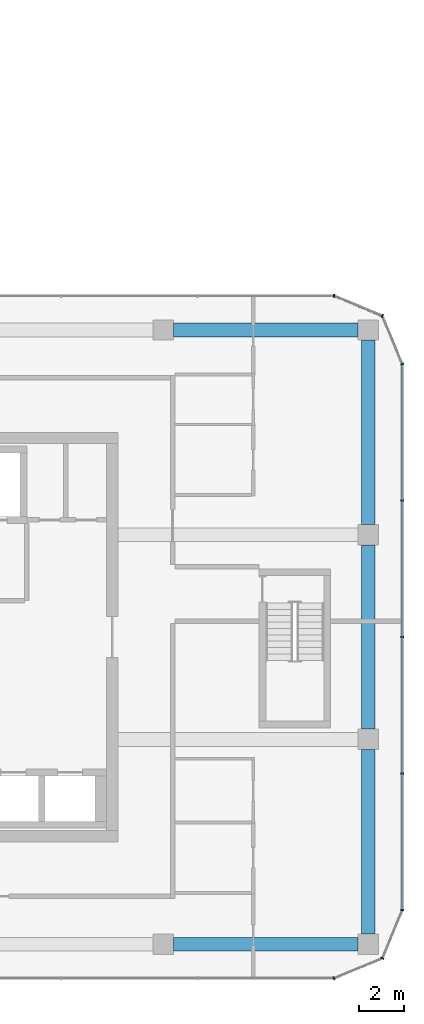
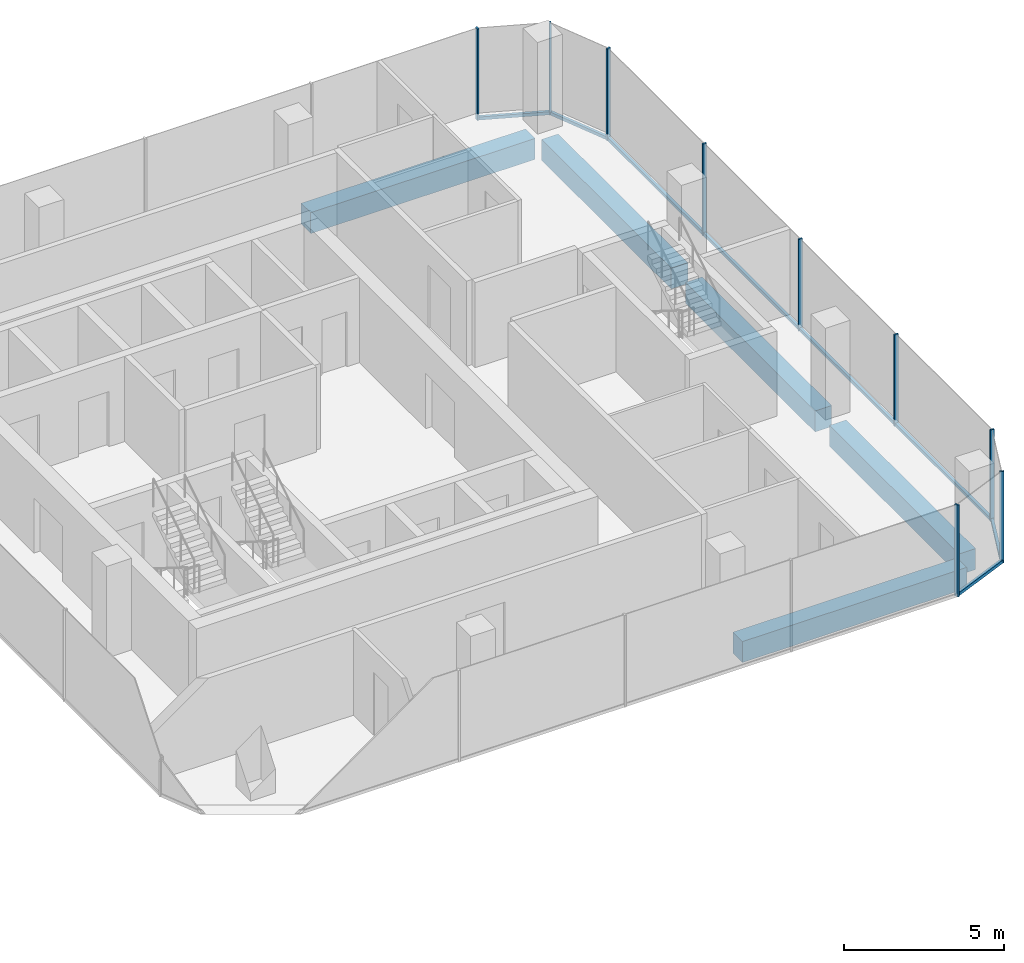
# One storey, part 11 of 24: 14 members, 5 beams, 6 elements without a shape of their own.
"""IFC4 building model written with IfcOpenShell, lengths in metres."""

from ifc_helpers import new_model, si_unit, direction, frame, origin, origin_2d, place, context, subcontext, project, spatial, rectangle, extrude, material, layer, layer_set, material_profile, profile_set, type_object, element, aggregate, save


model = new_model("IFC4")

# Units and contexts
model_context = context("Model", 3, precision=1e-05, world=origin(), true_north=direction((0.0, 1.0)))
body_context = subcontext(model_context, "Body", "Model", "MODEL_VIEW")
ifc_project = project(units=[si_unit("LENGTHUNIT", "METRE"), si_unit("AREAUNIT", "SQUARE_METRE"), si_unit("VOLUMEUNIT", "CUBIC_METRE"), si_unit("PLANEANGLEUNIT", "RADIAN"), si_unit("MASSUNIT", "GRAM", prefix="KILO")], contexts=[model_context])

# Site, building, storey
site_placement = place(None, origin())
site = spatial("IfcSite", under=ifc_project, at=site_placement, CompositionType="ELEMENT")
building_placement = place(site_placement, origin())
building = spatial("IfcBuilding", under=site, at=building_placement, Name="Plateau Cross Towers", CompositionType="ELEMENT")
storey_placement = place(building_placement, frame((0.0, 0.0, 51.300048828125)))
storey = spatial("IfcBuildingStorey", under=building, at=storey_placement, Name="L12", CompositionType="ELEMENT", Elevation=51.300048828125)

# Curtain wall, member
ifc_material_1 = material(Name="Dark low-iron glass", Category="glass")
ifc_layer = layer(ifc_material_1, 0.239990234375)
ifc_layer_set = layer_set([ifc_layer], Name="Dark low-iron glass")
curtain_wall_type = type_object("IfcCurtainWallType", Name="Curtain wall office unitised CW-F", PredefinedType="NOTDEFINED", material=ifc_layer_set)
curtain_wall_1_placement = place(storey_placement, origin())
curtain_wall_1 = element("IfcCurtainWall", 1, at=curtain_wall_1_placement, inside=storey, type_object=curtain_wall_type, Name="ENV/B/L12/B990_-60", PredefinedType="NOTDEFINED")
ifc_material_2 = material(Name="Black anodised aluminium", Category="aluminium")
ifc_material_profile_1 = material_profile(ifc_material_2, rectangle(XDim=0.06005859375, YDim=0.139892578125, at=origin_2d()), Name="MULLION 60x140")
ifc_profile_set_1 = profile_set([ifc_material_profile_1], Name="Black anodised aluminium")
member_type_1 = type_object("IfcMemberType", Name="Mullion 60x140 office unitised", PredefinedType="MULLION", material=ifc_profile_set_1)
member_1_placement = place(storey_placement, frame((99.0, -6.0, -0.25), z_axis=(0.0, 0.0, 1.0), x_axis=(0.923879457699, 0.382683612978, 0.0)))
member_1 = element("IfcMember", 2, at=member_1_placement, type_object=member_type_1, Name="CW-F mullion 1", PredefinedType="MULLION", context=body_context, shape_type="SweptSolid", body=[
    extrude(rectangle(XDim=0.06005859375, YDim=0.139892578125, at=origin_2d()), origin(), (0.0, 0.0, 1.0), 3.5),
])

curtain_wall_2_placement = place(storey_placement, origin())
curtain_wall_2 = element("IfcCurtainWall", 3, at=curtain_wall_2_placement, inside=storey, type_object=curtain_wall_type, Name="ENV/B/L12/B1011_-51", PredefinedType="NOTDEFINED")
member_2_placement = place(storey_placement, frame((101.121337890625, -5.121337890625, -0.25), z_axis=(0.0, 0.0, 1.0), x_axis=(0.382683612978, 0.923879457699, 0.0)))
member_2 = element("IfcMember", 4, at=member_2_placement, type_object=member_type_1, Name="CW-F mullion 1", PredefinedType="MULLION", context=body_context, shape_type="SweptSolid", body=[
    extrude(rectangle(XDim=0.06005859375, YDim=0.139892578125, at=origin_2d()), origin(), (0.0, 0.0, 1.0), 3.5),
])

# Curtain wall, members
curtain_wall_3_placement = place(storey_placement, origin())
curtain_wall_3 = element("IfcCurtainWall", 5, at=curtain_wall_3_placement, inside=storey, type_object=curtain_wall_type, Name="ENV/B/L12/B1020_-30", PredefinedType="NOTDEFINED")
member_3_placement = place(storey_placement, frame((102.0, -3.0, -0.25), z_axis=(0.0, 0.0, 1.0), x_axis=(0.0, 1.0, 0.0)))
member_3 = element("IfcMember", 6, at=member_3_placement, type_object=member_type_1, Name="CW-F mullion 1", PredefinedType="MULLION", context=body_context, shape_type="SweptSolid", body=[
    extrude(rectangle(XDim=0.06005859375, YDim=0.139892578125, at=origin_2d()), origin(), (0.0, 0.0, 1.0), 3.5),
])
member_4_placement = place(storey_placement, frame((102.0, 3.0, -0.25), z_axis=(0.0, 0.0, 1.0), x_axis=(0.0, 1.0, 0.0)))
member_4 = element("IfcMember", 7, at=member_4_placement, type_object=member_type_1, Name="CW-F mullion 2", PredefinedType="MULLION", context=body_context, shape_type="SweptSolid", body=[
    extrude(rectangle(XDim=0.06005859375, YDim=0.139892578125, at=origin_2d()), origin(), (0.0, 0.0, 1.0), 3.5),
])
member_5_placement = place(storey_placement, frame((102.0, 9.0, -0.25), z_axis=(0.0, 0.0, 1.0), x_axis=(0.0, 1.0, 0.0)))
member_5 = element("IfcMember", 8, at=member_5_placement, type_object=member_type_1, Name="CW-F mullion 3", PredefinedType="MULLION", context=body_context, shape_type="SweptSolid", body=[
    extrude(rectangle(XDim=0.06005859375, YDim=0.139892578125, at=origin_2d()), origin(), (0.0, 0.0, 1.0), 3.5),
])
member_6_placement = place(storey_placement, frame((102.0, 15.0, -0.25), z_axis=(0.0, 0.0, 1.0), x_axis=(0.0, 1.0, 0.0)))
member_6 = element("IfcMember", 9, at=member_6_placement, type_object=member_type_1, Name="CW-F mullion 4", PredefinedType="MULLION", context=body_context, shape_type="SweptSolid", body=[
    extrude(rectangle(XDim=0.06005859375, YDim=0.139892578125, at=origin_2d()), origin(), (0.0, 0.0, 1.0), 3.5),
])

# Curtain wall, member
curtain_wall_4_placement = place(storey_placement, origin())
curtain_wall_4 = element("IfcCurtainWall", 10, at=curtain_wall_4_placement, inside=storey, type_object=curtain_wall_type, Name="ENV/B/L12/B1020_210", PredefinedType="NOTDEFINED")
member_7_placement = place(storey_placement, frame((102.0, 21.0, -0.25), z_axis=(0.0, 0.0, 1.0), x_axis=(-0.382683612978, 0.923879457699, 0.0)))
member_7 = element("IfcMember", 11, at=member_7_placement, type_object=member_type_1, Name="CW-F mullion 1", PredefinedType="MULLION", context=body_context, shape_type="SweptSolid", body=[
    extrude(rectangle(XDim=0.06005859375, YDim=0.139892578125, at=origin_2d()), origin(), (0.0, 0.0, 1.0), 3.5),
])

curtain_wall_5_placement = place(storey_placement, origin())
curtain_wall_5 = element("IfcCurtainWall", 12, at=curtain_wall_5_placement, inside=storey, type_object=curtain_wall_type, Name="ENV/B/L12/B1011_231", PredefinedType="NOTDEFINED")
member_8_placement = place(storey_placement, frame((101.121337890625, 23.121337890625, -0.25), z_axis=(0.0, 0.0, 1.0), x_axis=(-0.923879457699, 0.382683612978, 0.0)))
member_8 = element("IfcMember", 13, at=member_8_placement, type_object=member_type_1, Name="CW-F mullion 1", PredefinedType="MULLION", context=body_context, shape_type="SweptSolid", body=[
    extrude(rectangle(XDim=0.06005859375, YDim=0.139892578125, at=origin_2d()), origin(), (0.0, 0.0, 1.0), 3.5),
])

curtain_wall_6_placement = place(storey_placement, origin())
curtain_wall_6 = element("IfcCurtainWall", 14, at=curtain_wall_6_placement, inside=storey, type_object=curtain_wall_type, Name="ENV/B/L12/B990_240", PredefinedType="NOTDEFINED")
member_9_placement = place(storey_placement, frame((99.0, 24.0, -0.25), z_axis=(0.0, 0.0, 1.0), x_axis=(-1.0, 0.0, 0.0)))
member_9 = element("IfcMember", 15, at=member_9_placement, type_object=member_type_1, Name="CW-F mullion 1", PredefinedType="MULLION", context=body_context, shape_type="SweptSolid", body=[
    extrude(rectangle(XDim=0.06005859375, YDim=0.139892578125, at=origin_2d()), origin(), (0.0, 0.0, 1.0), 3.5),
])
aggregate(curtain_wall_6, [member_9])

# Beams
ifc_material_3 = material(Name="Concrete C60/75", Category="concrete")
ifc_material_profile_2 = material_profile(ifc_material_3, rectangle(XDim=0.60009765625, YDim=0.800048828125, at=origin_2d()), Name="RC 600x800")
ifc_profile_set_2 = profile_set([ifc_material_profile_2], Name="Concrete C60/75")
beam_type = type_object("IfcBeamType", Name="Ring beam RC 600x800", PredefinedType="BEAM", material=ifc_profile_set_2)
for number, where, z_axis, x_axis, name in (
    (16, (91.949951171875, -4.5, -0.650146484375), (1.0, 0.0, 0.0), (0.0, 1.0, 0.0), "B-RB02@L12"),
    (17, (100.5, -4.050048828125, -0.650146484375), (0.0, 1.0, 0.0), (-1.0, 0.0, 0.0), "B-RB03@L12"),
    (18, (100.5, 4.949951171875, -0.650146484375), (0.0, 1.0, 0.0), (-1.0, 0.0, 0.0), "B-RB04@L12"),
    (19, (100.5, 13.949951171875, -0.650146484375), (0.0, 1.0, 0.0), (-1.0, 0.0, 0.0), "B-RB05@L12"),
    (20, (100.050048828125, 22.5, -0.650146484375), (-1.0, 0.0, 0.0), (0.0, -1.0, 0.0), "B-RB06@L12"),
):
    element("IfcBeam", number, at=place(storey_placement, frame(where, z_axis=z_axis, x_axis=x_axis)), inside=storey, type_object=beam_type, Name=name, PredefinedType="BEAM", context=body_context, shape_type="SweptSolid", body=[
        extrude(rectangle(XDim=0.60009765625, YDim=0.800048828125, at=origin_2d()), origin(), (0.0, 0.0, 1.0), 8.10009765625),
    ])

# Member
ifc_material_profile_3 = material_profile(ifc_material_2, rectangle(XDim=0.10009765625, YDim=0.1201171875, at=origin_2d()), Name="TRANSOM 100x120")
ifc_profile_set_3 = profile_set([ifc_material_profile_3], Name="Black anodised aluminium")
member_type_2 = type_object("IfcMemberType", Name="Transom 100x120 office unitised", PredefinedType="USERDEFINED", material=ifc_profile_set_3)
member_10_placement = place(storey_placement, frame((99.0, -6.0, -0.18994140625), z_axis=(0.923883353507, 0.382674207535, 0.0), x_axis=(-0.382674207535, 0.923883353507, 0.0)))
member_10 = element("IfcMember", 21, at=member_10_placement, type_object=member_type_2, Name="CW-F transom", ObjectType="TRANSOM", PredefinedType="USERDEFINED", context=body_context, shape_type="SweptSolid", body=[
    extrude(rectangle(XDim=0.10009765625, YDim=0.1201171875, at=origin_2d()), origin(), (0.0, 0.0, 1.0), 2.296142578125),
])

aggregate(curtain_wall_1, [member_1, member_10])

member_11_placement = place(storey_placement, frame((101.121337890625, -5.121337890625, -0.18994140625), z_axis=(0.382674207535, 0.923883353507, 0.0), x_axis=(-0.923883353507, 0.382674207535, 0.0)))
member_11 = element("IfcMember", 22, at=member_11_placement, type_object=member_type_2, Name="CW-F transom", ObjectType="TRANSOM", PredefinedType="USERDEFINED", context=body_context, shape_type="SweptSolid", body=[
    extrude(rectangle(XDim=0.10009765625, YDim=0.1201171875, at=origin_2d()), origin(), (0.0, 0.0, 1.0), 2.296142578125),
])

aggregate(curtain_wall_2, [member_2, member_11])

member_12_placement = place(storey_placement, frame((102.0, -3.0, -0.18994140625), z_axis=(0.0, 1.0, 0.0), x_axis=(-1.0, 0.0, 0.0)))
member_12 = element("IfcMember", 23, at=member_12_placement, type_object=member_type_2, Name="CW-F transom", ObjectType="TRANSOM", PredefinedType="USERDEFINED", context=body_context, shape_type="SweptSolid", body=[
    extrude(rectangle(XDim=0.10009765625, YDim=0.1201171875, at=origin_2d()), origin(), (0.0, 0.0, 1.0), 24.0),
])

aggregate(curtain_wall_3, [member_3, member_4, member_5, member_6, member_12])

member_13_placement = place(storey_placement, frame((102.0, 21.0, -0.18994140625), z_axis=(-0.382674207535, 0.923883353507, 0.0), x_axis=(-0.923883353507, -0.382674207535, 0.0)))
member_13 = element("IfcMember", 24, at=member_13_placement, type_object=member_type_2, Name="CW-F transom", ObjectType="TRANSOM", PredefinedType="USERDEFINED", context=body_context, shape_type="SweptSolid", body=[
    extrude(rectangle(XDim=0.10009765625, YDim=0.1201171875, at=origin_2d()), origin(), (0.0, 0.0, 1.0), 2.296142578125),
])

aggregate(curtain_wall_4, [member_7, member_13])

member_14_placement = place(storey_placement, frame((101.121337890625, 23.121337890625, -0.18994140625), z_axis=(-0.923883353507, 0.382674207535, 0.0), x_axis=(-0.382674207535, -0.923883353507, 0.0)))
member_14 = element("IfcMember", 25, at=member_14_placement, type_object=member_type_2, Name="CW-F transom", ObjectType="TRANSOM", PredefinedType="USERDEFINED", context=body_context, shape_type="SweptSolid", body=[
    extrude(rectangle(XDim=0.10009765625, YDim=0.1201171875, at=origin_2d()), origin(), (0.0, 0.0, 1.0), 2.296142578125),
])

aggregate(curtain_wall_5, [member_8, member_14])

save(model, "model.ifc")
